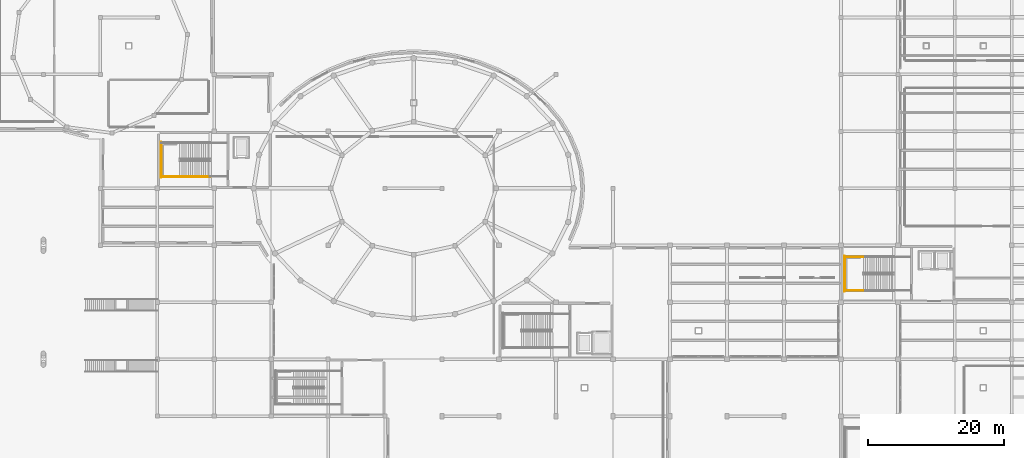
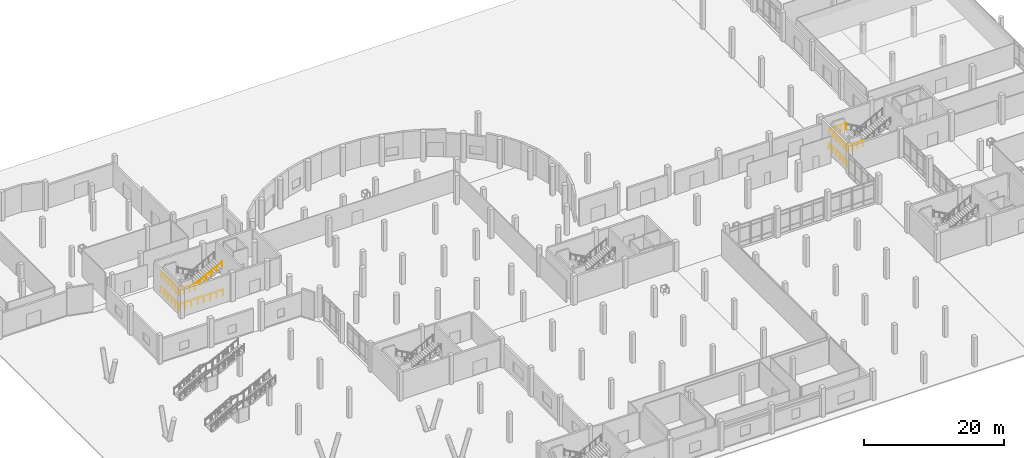
# One storey, part 59 of 64: 9 railings.
"""IFC4 building model written with IfcOpenShell, lengths in metres."""

from ifc_helpers import new_model, si_unit, derived_unit, direction, frame, origin, origin_2d, place, context, subcontext, project, spatial, circle, extrude, material, type_object, element, save


model = new_model("IFC4")

# Units and contexts
model_context = context("Model", 3, precision=1e-05, world=origin(), true_north=direction((0.0, 1.0)))
body_context = subcontext(model_context, "Body", "Model", "MODEL_VIEW")
ifc_project = project(units=[si_unit("LENGTHUNIT", "METRE"), si_unit("AREAUNIT", "SQUARE_METRE"), si_unit("VOLUMEUNIT", "CUBIC_METRE"), si_unit("PLANEANGLEUNIT", "RADIAN"), si_unit("MASSUNIT", "GRAM", prefix="KILO"), derived_unit("THERMALTRANSMITTANCEUNIT", [(si_unit("POWERUNIT", "WATT"), 1), (si_unit("LENGTHUNIT", "METRE"), -2), (si_unit("THERMODYNAMICTEMPERATUREUNIT", "KELVIN"), -1)])], contexts=[model_context])

# Site, building, storey
site_placement = place(None, origin())
site = spatial("IfcSite", under=ifc_project, at=site_placement, CompositionType="ELEMENT")
building_placement = place(site_placement, origin())
building = spatial("IfcBuilding", under=site, at=building_placement, Name="Elbkamm Science Centre", CompositionType="ELEMENT")
storey_placement = place(building_placement, origin())
storey = spatial("IfcBuildingStorey", under=building, at=storey_placement, Name="L00", CompositionType="ELEMENT", Elevation=0.0)

# Railings
ifc_material = material(Name="Stainless steel EN 1.4401", Category="steel")
railing_type_1 = type_object("IfcRailingType", Name="RAIL-GUARD-1100", PredefinedType="GUARDRAIL", material=ifc_material)
railing_1_placement = place(storey_placement, frame((28.5, 68.929931640625, 2.550048828125)))
element("IfcRailing", 1, at=railing_1_placement, inside=storey, type_object=railing_type_1, Name="L00 ST-C1 stair guard 4", PredefinedType="GUARDRAIL", context=body_context, shape_type="SweptSolid", body=[
    extrude(circle(Radius=0.02392578125, at=origin_2d()), frame((0.0, 0.0, 1.078125), z_axis=(-1.0, 0.0, 0.0), x_axis=(0.0, -1.0, 0.0)), (0.0, 0.0, 1.0), 2.699951171875),
    extrude(circle(Radius=0.02001953125, at=origin_2d()), origin(), (0.0, 0.0, 1.0), 1.048095703125),
    extrude(circle(Radius=0.02001953125, at=origin_2d()), frame((-0.89990234375, 0.0, 0.0)), (0.0, 0.0, 1.0), 1.048095703125),
    extrude(circle(Radius=0.02001953125, at=origin_2d()), frame((-1.800048828125, 0.0, 0.0)), (0.0, 0.0, 1.0), 1.048095703125),
    extrude(circle(Radius=0.02001953125, at=origin_2d()), frame((-2.699951171875, 0.0, 0.0)), (0.0, 0.0, 1.0), 1.048095703125),
])
railing_2_placement = place(storey_placement, frame((25.85009765625, 73.919921875, 2.550048828125)))
element("IfcRailing", 2, at=railing_2_placement, inside=storey, type_object=railing_type_1, Name="L00 ST-C1 stair guard 5", PredefinedType="GUARDRAIL", context=body_context, shape_type="SweptSolid", body=[
    extrude(circle(Radius=0.02392578125, at=origin_2d()), frame((0.0, 0.0, 1.078125), z_axis=(0.0, -1.0, 0.0), x_axis=(1.0, 0.0, 0.0)), (0.0, 0.0, 1.0), 5.0400390625),
    extrude(circle(Radius=0.02001953125, at=origin_2d()), origin(), (0.0, 0.0, 1.0), 1.048095703125),
    extrude(circle(Radius=0.02001953125, at=origin_2d()), frame((0.0, -1.008056640625, 0.0)), (0.0, 0.0, 1.0), 1.048095703125),
    extrude(circle(Radius=0.02001953125, at=origin_2d()), frame((0.0, -2.01611328125, 0.0)), (0.0, 0.0, 1.0), 1.048095703125),
    extrude(circle(Radius=0.02001953125, at=origin_2d()), frame((0.0, -3.02392578125, 0.0)), (0.0, 0.0, 1.0), 1.048095703125),
    extrude(circle(Radius=0.02001953125, at=origin_2d()), frame((0.0, -4.031982421875, 0.0)), (0.0, 0.0, 1.0), 1.048095703125),
    extrude(circle(Radius=0.02001953125, at=origin_2d()), frame((0.0, -5.0400390625, 0.0)), (0.0, 0.0, 1.0), 1.048095703125),
])
railing_3_placement = place(storey_placement, frame((33.080078125, 68.830078125, 0.0)))
element("IfcRailing", 3, at=railing_3_placement, inside=storey, type_object=railing_type_1, Name="L00 ST-C1 stair guard 11", PredefinedType="GUARDRAIL", context=body_context, shape_type="SweptSolid", body=[
    extrude(circle(Radius=0.02392578125, at=origin_2d()), frame((0.0, 0.0, 1.078125), z_axis=(-1.0, 0.0, 0.0), x_axis=(0.0, -1.0, 0.0)), (0.0, 0.0, 1.0), 7.380126953125),
    extrude(circle(Radius=0.02001953125, at=origin_2d()), origin(), (0.0, 0.0, 1.0), 1.048095703125),
    extrude(circle(Radius=0.02001953125, at=origin_2d()), frame((-1.05419921875, 0.0, 0.0)), (0.0, 0.0, 1.0), 1.048095703125),
    extrude(circle(Radius=0.02001953125, at=origin_2d()), frame((-2.108642578125, 0.0, 0.0)), (0.0, 0.0, 1.0), 1.048095703125),
    extrude(circle(Radius=0.02001953125, at=origin_2d()), frame((-3.162841796875, 0.0, 0.0)), (0.0, 0.0, 1.0), 1.048095703125),
    extrude(circle(Radius=0.02001953125, at=origin_2d()), frame((-4.21728515625, 0.0, 0.0)), (0.0, 0.0, 1.0), 1.048095703125),
    extrude(circle(Radius=0.02001953125, at=origin_2d()), frame((-5.271484375, 0.0, 0.0)), (0.0, 0.0, 1.0), 1.048095703125),
    extrude(circle(Radius=0.02001953125, at=origin_2d()), frame((-6.325927734375, 0.0, 0.0)), (0.0, 0.0, 1.0), 1.048095703125),
    extrude(circle(Radius=0.02001953125, at=origin_2d()), frame((-7.380126953125, 0.0, 0.0)), (0.0, 0.0, 1.0), 1.048095703125),
])
railing_4_placement = place(storey_placement, frame((25.75, 74.02001953125, 0.0)))
element("IfcRailing", 4, at=railing_4_placement, inside=storey, type_object=railing_type_1, Name="L00 ST-C1 stair guard 12", PredefinedType="GUARDRAIL", context=body_context, shape_type="SweptSolid", body=[
    extrude(circle(Radius=0.02392578125, at=origin_2d()), frame((0.0, 0.0, 1.078125), z_axis=(0.0, -1.0, 0.0), x_axis=(1.0, 0.0, 0.0)), (0.0, 0.0, 1.0), 5.239990234375),
    extrude(circle(Radius=0.02001953125, at=origin_2d()), origin(), (0.0, 0.0, 1.0), 1.048095703125),
    extrude(circle(Radius=0.02001953125, at=origin_2d()), frame((0.0, -1.048095703125, 0.0)), (0.0, 0.0, 1.0), 1.048095703125),
    extrude(circle(Radius=0.02001953125, at=origin_2d()), frame((0.0, -2.095947265625, 0.0)), (0.0, 0.0, 1.0), 1.048095703125),
    extrude(circle(Radius=0.02001953125, at=origin_2d()), frame((0.0, -3.14404296875, 0.0)), (0.0, 0.0, 1.0), 1.048095703125),
    extrude(circle(Radius=0.02001953125, at=origin_2d()), frame((0.0, -4.19189453125, 0.0)), (0.0, 0.0, 1.0), 1.048095703125),
    extrude(circle(Radius=0.02001953125, at=origin_2d()), frame((0.0, -5.239990234375, 0.0)), (0.0, 0.0, 1.0), 1.048095703125),
])
for number, where, name in (
    (5, (129.300048828125, 57.070068359375, 2.550048828125), "L00 ST-C3 stair guard 3"),
    (6, (129.300048828125, 52.1298828125, 2.550048828125), "L00 ST-C3 stair guard 4"),
):
    element("IfcRailing", number, at=place(storey_placement, frame(where)), inside=storey, type_object=railing_type_1, Name=name, PredefinedType="GUARDRAIL", context=body_context, shape_type="SweptSolid", body=[
        extrude(circle(Radius=0.02392578125, at=origin_2d()), frame((0.0, 0.0, 1.078125), z_axis=(-1.0, 0.0, 0.0), x_axis=(0.0, -1.0, 0.0)), (0.0, 0.0, 1.0), 2.699951171875),
        extrude(circle(Radius=0.02001953125, at=origin_2d()), origin(), (0.0, 0.0, 1.0), 1.048095703125),
        extrude(circle(Radius=0.02001953125, at=origin_2d()), frame((-0.89990234375, 0.0, 0.0)), (0.0, 0.0, 1.0), 1.048095703125),
        extrude(circle(Radius=0.02001953125, at=origin_2d()), frame((-1.800048828125, 0.0, 0.0)), (0.0, 0.0, 1.0), 1.048095703125),
        extrude(circle(Radius=0.02001953125, at=origin_2d()), frame((-2.699951171875, 0.0, 0.0)), (0.0, 0.0, 1.0), 1.048095703125),
    ])
railing_5_placement = place(storey_placement, frame((126.64990234375, 57.1201171875, 2.550048828125)))
element("IfcRailing", 7, at=railing_5_placement, inside=storey, type_object=railing_type_1, Name="L00 ST-C3 stair guard 5", PredefinedType="GUARDRAIL", context=body_context, shape_type="SweptSolid", body=[
    extrude(circle(Radius=0.02392578125, at=origin_2d()), frame((0.0, 0.0, 1.078125), z_axis=(0.0, -1.0, 0.0), x_axis=(1.0, 0.0, 0.0)), (0.0, 0.0, 1.0), 5.0400390625),
    extrude(circle(Radius=0.02001953125, at=origin_2d()), origin(), (0.0, 0.0, 1.0), 1.048095703125),
    extrude(circle(Radius=0.02001953125, at=origin_2d()), frame((0.0, -1.008056640625, 0.0)), (0.0, 0.0, 1.0), 1.048095703125),
    extrude(circle(Radius=0.02001953125, at=origin_2d()), frame((0.0, -2.01611328125, 0.0)), (0.0, 0.0, 1.0), 1.048095703125),
    extrude(circle(Radius=0.02001953125, at=origin_2d()), frame((0.0, -3.02392578125, 0.0)), (0.0, 0.0, 1.0), 1.048095703125),
    extrude(circle(Radius=0.02001953125, at=origin_2d()), frame((0.0, -4.031982421875, 0.0)), (0.0, 0.0, 1.0), 1.048095703125),
    extrude(circle(Radius=0.02001953125, at=origin_2d()), frame((0.0, -5.0400390625, 0.0)), (0.0, 0.0, 1.0), 1.048095703125),
])
railing_6_placement = place(storey_placement, frame((126.550048828125, 57.219970703125, 0.0)))
element("IfcRailing", 8, at=railing_6_placement, inside=storey, type_object=railing_type_1, Name="L00 ST-C3 stair guard 12", PredefinedType="GUARDRAIL", context=body_context, shape_type="SweptSolid", body=[
    extrude(circle(Radius=0.02392578125, at=origin_2d()), frame((0.0, 0.0, 1.078125), z_axis=(0.0, -1.0, 0.0), x_axis=(1.0, 0.0, 0.0)), (0.0, 0.0, 1.0), 5.239990234375),
    extrude(circle(Radius=0.02001953125, at=origin_2d()), origin(), (0.0, 0.0, 1.0), 1.048095703125),
    extrude(circle(Radius=0.02001953125, at=origin_2d()), frame((0.0, -1.048095703125, 0.0)), (0.0, 0.0, 1.0), 1.048095703125),
    extrude(circle(Radius=0.02001953125, at=origin_2d()), frame((0.0, -2.095947265625, 0.0)), (0.0, 0.0, 1.0), 1.048095703125),
    extrude(circle(Radius=0.02001953125, at=origin_2d()), frame((0.0, -3.14404296875, 0.0)), (0.0, 0.0, 1.0), 1.048095703125),
    extrude(circle(Radius=0.02001953125, at=origin_2d()), frame((0.0, -4.19189453125, 0.0)), (0.0, 0.0, 1.0), 1.048095703125),
    extrude(circle(Radius=0.02001953125, at=origin_2d()), frame((0.0, -5.239990234375, 0.0)), (0.0, 0.0, 1.0), 1.048095703125),
])
railing_type_2 = type_object("IfcRailingType", Name="RAIL-HAND-900", PredefinedType="HANDRAIL", material=ifc_material)
railing_7_placement = place(storey_placement, frame((28.5, 68.929931640625, 2.719970703125)))
element("IfcRailing", 9, at=railing_7_placement, inside=storey, type_object=railing_type_2, Name="L00 ST-C1 stair handrail 2", PredefinedType="HANDRAIL", context=body_context, shape_type="SweptSolid", body=[
    extrude(circle(Radius=0.02392578125, at=origin_2d()), frame((0.0, 0.0, 0.8779296875), z_axis=(0.883104503341, 0.0, 0.469176338042), x_axis=(0.0, 1.0, 0.0)), (0.0, 0.0, 1.0), 5.072998046875),
    extrude(circle(Radius=0.02001953125, at=origin_2d()), origin(), (0.0, 0.0, 1.0), 0.847900390625),
    extrude(circle(Radius=0.02001953125, at=origin_2d()), frame((0.89599609375, 0.0, 0.47607421875)), (0.0, 0.0, 1.0), 0.847900390625),
    extrude(circle(Radius=0.02001953125, at=origin_2d()), frame((1.7919921875, 0.0, 0.9521484375)), (0.0, 0.0, 1.0), 0.847900390625),
    extrude(circle(Radius=0.02001953125, at=origin_2d()), frame((2.68798828125, 0.0, 1.427978515625)), (0.0, 0.0, 1.0), 0.847900390625),
    extrude(circle(Radius=0.02001953125, at=origin_2d()), frame((3.583984375, 0.0, 1.904052734375)), (0.0, 0.0, 1.0), 0.847900390625),
    extrude(circle(Radius=0.02001953125, at=origin_2d()), frame((4.47998046875, 0.0, 2.380126953125)), (0.0, 0.0, 1.0), 0.847900390625),
])

save(model, "model.ifc")
